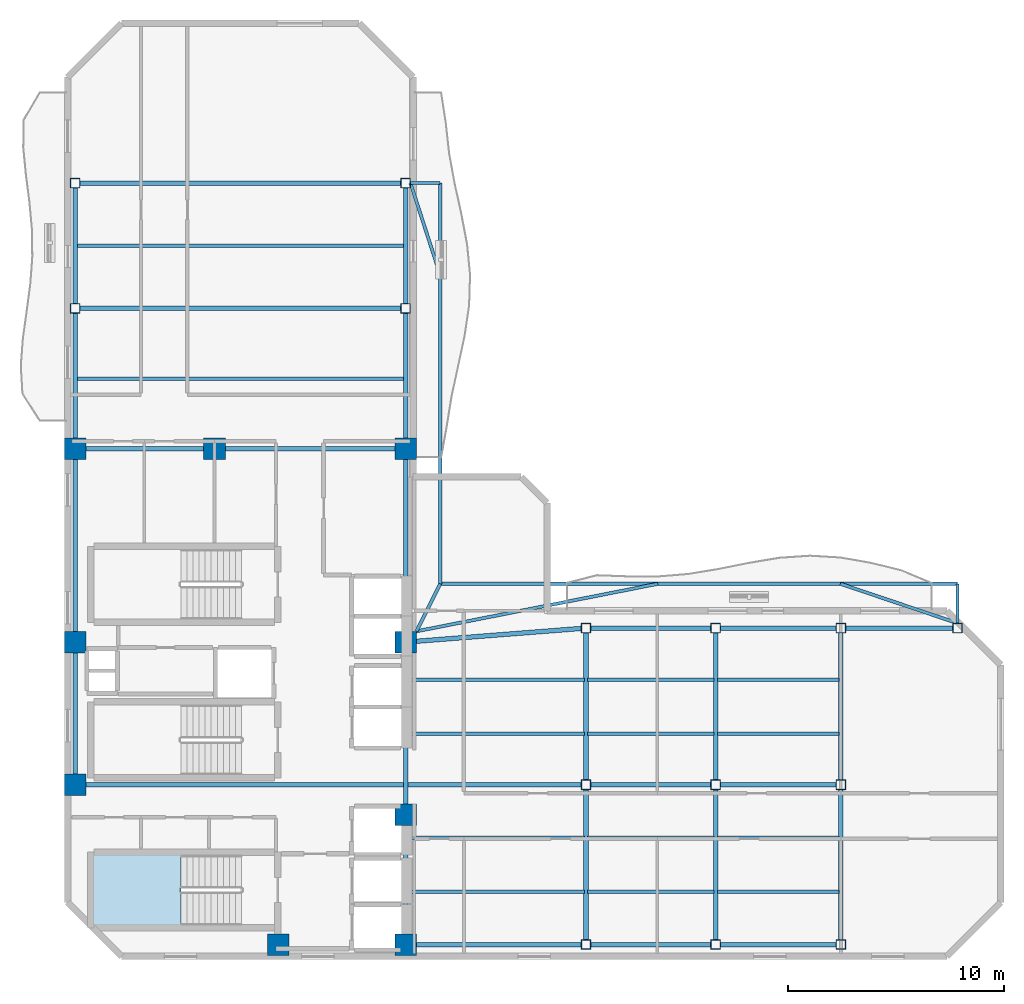
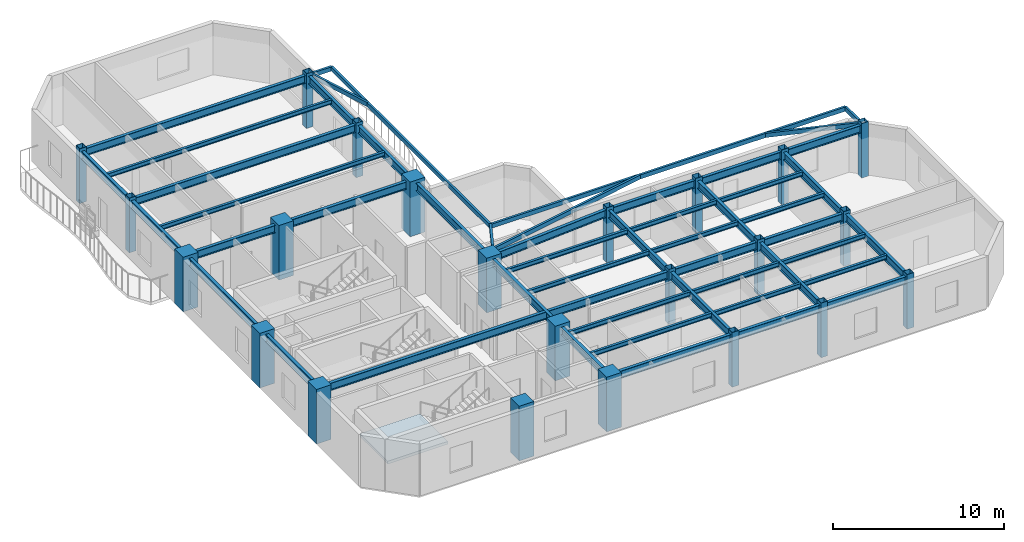
# One storey, part 1 of 8: 51 beams, 23 columns, 1 slab, 1 element without a shape of its own.
"""IFC4 building model written with IfcOpenShell, lengths in metres."""

from ifc_helpers import new_model, si_unit, direction, frame, origin, origin_2d, place, context, subcontext, project, spatial, polyline, rectangle, hollow_rectangle, i_section, outline, extrude, material, layer, layer_set, material_profile, profile_set, type_object, element, aggregate, save


model = new_model("IFC4")

# Units and contexts
model_context = context("Model", 3, precision=1e-05, world=origin(), true_north=direction((0.0, 1.0)))
body_context = subcontext(model_context, "Body", "Model", "MODEL_VIEW")
ifc_project = project(units=[si_unit("LENGTHUNIT", "METRE"), si_unit("AREAUNIT", "SQUARE_METRE"), si_unit("VOLUMEUNIT", "CUBIC_METRE"), si_unit("PLANEANGLEUNIT", "RADIAN"), si_unit("MASSUNIT", "GRAM", prefix="KILO")], contexts=[model_context])

# Site, building, storey
site_placement = place(None, origin())
site = spatial("IfcSite", under=ifc_project, at=site_placement, CompositionType="ELEMENT")
building_placement = place(site_placement, origin())
building = spatial("IfcBuilding", under=site, at=building_placement, Name="Mawjaban Terraces University", CompositionType="ELEMENT")
storey_placement = place(building_placement, frame((0.0, 0.0, 218.699951171875)))
storey = spatial("IfcBuildingStorey", under=building, at=storey_placement, Name="L53", CompositionType="ELEMENT", Elevation=218.699951171875)

# Columns
ifc_material_1 = material(Name="Concrete C60/75", Category="concrete")
ifc_material_profile_1 = material_profile(ifc_material_1, rectangle(XDim=1.0, YDim=1.0, at=origin_2d()), Name="RC1000X1000")
ifc_profile_set_1 = profile_set([ifc_material_profile_1], Name="Concrete C60/75")
column_type_1 = type_object("IfcColumnType", Name="Col_RC1000X1000", PredefinedType="COLUMN", material=ifc_profile_set_1)
for number, where, z_axis, x_axis, name in (
    (1, (31.75, 0.550048828125, 0.0), (0.0, 0.0, 1.0), (1.0, 0.0, 0.0), "L53 Column CC2"),
    (2, (37.64990234375, 0.550048828125, 0.0), (0.0, 0.0, 1.0), (1.0, 0.0, 0.0), "L53 Column CC3"),
    (3, (22.35009765625, 7.949951171875, 0.0), (0.0, 0.0, 1.0), (1.0, 0.0, 0.0), "L53 Column CC4"),
    (4, (37.64990234375, 6.550048828125, 0.0), (0.0, 0.0, 1.0), (1.0, 0.0, 0.0), "L53 Column CC5"),
    (5, (22.35009765625, 14.550048828125, 0.0), (0.0, 0.0, 1.0), (1.0, 0.0, 0.0), "L53 Column CC6"),
    (6, (37.64990234375, 14.550048828125, 0.0), (0.0, 0.0, 1.0), (1.0, 0.0, 0.0), "L53 Column CC7"),
    (7, (22.35009765625, 23.5, 0.0), (0.0, 0.0, 1.0), (1.0, 0.0, 0.0), "L53 Column CC8"),
    (8, (28.800048828125, 23.5, 0.0), (0.0, 0.0, 1.0), (1.0, 0.0, 0.0), "L53 Column CC9"),
    (9, (37.64990234375, 23.5, 0.0), (0.0, 0.0, 1.0), (1.0, 0.0, 0.0), "L53 Column CC10"),
):
    element("IfcColumn", number, at=place(storey_placement, frame(where, z_axis=z_axis, x_axis=x_axis)), inside=storey, type_object=column_type_1, Name=name, PredefinedType="COLUMN", context=body_context, shape_type="SweptSolid", body=[
        extrude(rectangle(XDim=1.0, YDim=1.0, at=origin_2d()), origin(), (0.0, 0.0, 1.0), 3.900146484375),
    ])
ifc_material_2 = material(Name="Steel EN 10210-1 S355J2H", Category="steel")
ifc_material_profile_2 = material_profile(ifc_material_2, hollow_rectangle(XDim=0.449951171875, YDim=0.449951171875, WallThickness=0.02001953125, at=origin_2d()), Name="SHS450X450X20")
ifc_profile_set_2 = profile_set([ifc_material_profile_2], Name="Steel EN 10210-1 S355J2H")
column_type_2 = type_object("IfcColumnType", Name="Col_SHS450X450X20", PredefinedType="COLUMN", material=ifc_profile_set_2)
for number, where, z_axis, x_axis, name in (
    (10, (46.0, 0.550048828125, 0.0), (0.0, 0.0, 1.0), (1.0, 0.0, 0.0), "L53 Column TE-460-005"),
    (11, (46.0, 7.949951171875, 0.0), (0.0, 0.0, 1.0), (1.0, 0.0, 0.0), "L53 Column TE-460-080"),
    (12, (46.0, 15.199951171875, 0.0), (0.0, 0.0, 1.0), (1.0, 0.0, 0.0), "L53 Column TE-460-152"),
    (13, (52.0, 0.550048828125, 0.0), (0.0, 0.0, 1.0), (1.0, 0.0, 0.0), "L53 Column TE-520-005"),
    (14, (52.0, 7.949951171875, 0.0), (0.0, 0.0, 1.0), (1.0, 0.0, 0.0), "L53 Column TE-520-080"),
    (15, (52.0, 15.199951171875, 0.0), (0.0, 0.0, 1.0), (1.0, 0.0, 0.0), "L53 Column TE-520-152"),
    (16, (57.800048828125, 0.550048828125, 0.0), (0.0, 0.0, 1.0), (1.0, 0.0, 0.0), "L53 Column TE-578-005"),
    (17, (57.800048828125, 7.949951171875, 0.0), (0.0, 0.0, 1.0), (1.0, 0.0, 0.0), "L53 Column TE-578-080"),
    (18, (57.800048828125, 15.199951171875, 0.0), (0.0, 0.0, 1.0), (1.0, 0.0, 0.0), "L53 Column TE-578-152"),
    (19, (63.199951171875, 15.199951171875, 0.0), (0.0, 0.0, 1.0), (1.0, 0.0, 0.0), "L53 Column TE-632-152"),
    (20, (22.35009765625, 30.0, 0.0), (0.0, 0.0, 1.0), (1.0, 0.0, 0.0), "L53 Column TN-223-300"),
    (21, (37.64990234375, 30.0, 0.0), (0.0, 0.0, 1.0), (1.0, 0.0, 0.0), "L53 Column TN-376-300"),
    (22, (22.35009765625, 35.800048828125, 0.0), (0.0, 0.0, 1.0), (1.0, 0.0, 0.0), "L53 Column TN-223-358"),
    (23, (37.64990234375, 35.800048828125, 0.0), (0.0, 0.0, 1.0), (1.0, 0.0, 0.0), "L53 Column TN-376-358"),
):
    element("IfcColumn", number, at=place(storey_placement, frame(where, z_axis=z_axis, x_axis=x_axis)), inside=storey, type_object=column_type_2, Name=name, PredefinedType="COLUMN", context=body_context, shape_type="SweptSolid", body=[
        extrude(hollow_rectangle(XDim=0.449951171875, YDim=0.449951171875, WallThickness=0.02001953125, at=origin_2d()), origin(), (0.0, 0.0, 1.0), 3.900146484375),
    ])

# Beams
ifc_material_profile_3 = material_profile(ifc_material_2, hollow_rectangle(XDim=0.14990234375, YDim=0.300048828125, WallThickness=0.012451171875, at=origin_2d()), Name="RHS300X150X12.5")
ifc_profile_set_3 = profile_set([ifc_material_profile_3], Name="Steel EN 10210-1 S355J2H")
beam_type_1 = type_object("IfcBeamType", Name="BalconyCantileverSpandrel_RHS", PredefinedType="SPANDREL", material=ifc_profile_set_3)
beam_1_placement = place(storey_placement, frame((38.14990234375, 15.050048828125, 3.5400390625), z_axis=(0.447253297971, 0.894407338663, 0.0), x_axis=(-0.894407338663, 0.447253297971, 0.0)))
element("IfcBeam", 24, at=beam_1_placement, inside=storey, type_object=beam_type_1, Name="L53 Corner Outrigger BAL-L54-N", PredefinedType="SPANDREL", context=body_context, shape_type="SweptSolid", body=[
    extrude(hollow_rectangle(XDim=0.14990234375, YDim=0.300048828125, WallThickness=0.012451171875, at=origin_2d()), origin(), (0.0, 0.0, 1.0), 2.459716796875),
])
beam_2_placement = place(storey_placement, frame((63.199951171875, 15.425048828125, 3.5400390625), z_axis=(0.0, 1.0, 0.0), x_axis=(-1.0, 0.0, 0.0)))
element("IfcBeam", 25, at=beam_2_placement, inside=storey, type_object=beam_type_1, Name="L53 Exterior Outrigger BAL-L54-N.2", PredefinedType="SPANDREL", context=body_context, shape_type="SweptSolid", body=[
    extrude(hollow_rectangle(XDim=0.14990234375, YDim=0.300048828125, WallThickness=0.012451171875, at=origin_2d()), origin(), (0.0, 0.0, 1.0), 1.824951171875),
])
beam_3_placement = place(storey_placement, frame((39.25, 17.25, 3.5400390625), z_axis=(1.0, 0.0, 0.0), x_axis=(0.0, 1.0, 0.0)))
element("IfcBeam", 26, at=beam_3_placement, inside=storey, type_object=beam_type_1, Name="L53 Exterior Edge Spandrel BAL-L54-N", PredefinedType="SPANDREL", context=body_context, shape_type="SweptSolid", body=[
    extrude(hollow_rectangle(XDim=0.14990234375, YDim=0.300048828125, WallThickness=0.012451171875, at=origin_2d()), origin(), (0.0, 0.0, 1.0), 23.949951171875),
])
beam_4_placement = place(storey_placement, frame((38.14990234375, 15.050048828125, 3.5400390625), z_axis=(0.981168159066, 0.193155490821, 0.0), x_axis=(-0.193155490821, 0.981168159066, 0.0)))
element("IfcBeam", 27, at=beam_4_placement, inside=storey, type_object=beam_type_1, Name="L53 Exterior Diagonal Strut BAL-L54-N.1", PredefinedType="SPANDREL", context=body_context, shape_type="SweptSolid", body=[
    extrude(hollow_rectangle(XDim=0.14990234375, YDim=0.300048828125, WallThickness=0.012451171875, at=origin_2d()), origin(), (0.0, 0.0, 1.0), 11.3896484375),
])
beam_5_placement = place(storey_placement, frame((63.199951171875, 15.425048828125, 3.5400390625), z_axis=(-0.947809569578, 0.318836980001, 0.0), x_axis=(-0.318836980001, -0.947809569578, 0.0)))
element("IfcBeam", 28, at=beam_5_placement, inside=storey, type_object=beam_type_1, Name="L53 Exterior Diagonal Strut BAL-L54-N.2", PredefinedType="SPANDREL", context=body_context, shape_type="SweptSolid", body=[
    extrude(hollow_rectangle(XDim=0.14990234375, YDim=0.300048828125, WallThickness=0.012451171875, at=origin_2d()), origin(), (0.0, 0.0, 1.0), 5.723876953125),
])
beam_6_placement = place(storey_placement, frame((37.875, 35.800048828125, 3.5400390625), z_axis=(1.0, 0.0, 0.0), x_axis=(0.0, 1.0, 0.0)))
element("IfcBeam", 29, at=beam_6_placement, inside=storey, type_object=beam_type_1, Name="L53 Exterior Outrigger BAL-L54-E.2", PredefinedType="SPANDREL", context=body_context, shape_type="SweptSolid", body=[
    extrude(hollow_rectangle(XDim=0.14990234375, YDim=0.300048828125, WallThickness=0.012451171875, at=origin_2d()), origin(), (0.0, 0.0, 1.0), 1.375),
])
beam_7_placement = place(storey_placement, frame((39.25, 17.25, 3.5400390625), z_axis=(0.0, 1.0, 0.0), x_axis=(-1.0, 0.0, 0.0)))
element("IfcBeam", 30, at=beam_7_placement, inside=storey, type_object=beam_type_1, Name="L53 Exterior Edge Spandrel BAL-L54-E", PredefinedType="SPANDREL", context=body_context, shape_type="SweptSolid", body=[
    extrude(hollow_rectangle(XDim=0.14990234375, YDim=0.300048828125, WallThickness=0.012451171875, at=origin_2d()), origin(), (0.0, 0.0, 1.0), 18.550048828125),
])
beam_8_placement = place(storey_placement, frame((37.875, 35.800048828125, 3.5400390625), z_axis=(0.307820285415, -0.951444518554, 0.0), x_axis=(0.951444518554, 0.307820285415, 0.0)))
element("IfcBeam", 31, at=beam_8_placement, inside=storey, type_object=beam_type_1, Name="L53 Exterior Diagonal Strut BAL-L54-E.1", PredefinedType="SPANDREL", context=body_context, shape_type="SweptSolid", body=[
    extrude(hollow_rectangle(XDim=0.14990234375, YDim=0.300048828125, WallThickness=0.012451171875, at=origin_2d()), origin(), (0.0, 0.0, 1.0), 4.466796875),
])
ifc_material_3 = material(Name="Steel ASTM A572 Grade 50", Category="steel")
ifc_material_profile_4 = material_profile(ifc_material_3, i_section(OverallWidth=0.2119140625, OverallDepth=0.5439453125, WebThickness=0.01318359375, FlangeThickness=0.021240234375, at=origin_2d()), Name="W530X123")
ifc_profile_set_4 = profile_set([ifc_material_profile_4], Name="Steel ASTM A572 Grade 50")
beam_type_2 = type_object("IfcBeamType", Name="Beam_B_W530X123", PredefinedType="BEAM", material=ifc_profile_set_4)
beam_9_placement = place(storey_placement, frame((38.14990234375, 0.550048828125, 3.41796875), z_axis=(1.0, 0.0, 0.0), x_axis=(0.0, 1.0, 0.0)))
element("IfcBeam", 32, at=beam_9_placement, inside=storey, type_object=beam_type_2, Name="L53 Beam BM-L53-EW-01", PredefinedType="BEAM", context=body_context, shape_type="SweptSolid", body=[
    extrude(i_section(OverallWidth=0.2119140625, OverallDepth=0.5439453125, WebThickness=0.01318359375, FlangeThickness=0.021240234375, at=origin_2d()), origin(), (0.0, 0.0, 1.0), 7.625),
])
beam_10_placement = place(storey_placement, frame((46.22509765625, 0.550048828125, 3.41796875), z_axis=(1.0, 0.0, 0.0), x_axis=(0.0, 1.0, 0.0)))
element("IfcBeam", 33, at=beam_10_placement, inside=storey, type_object=beam_type_2, Name="L53 Beam BM-L53-EW-02", PredefinedType="BEAM", context=body_context, shape_type="SweptSolid", body=[
    extrude(i_section(OverallWidth=0.2119140625, OverallDepth=0.5439453125, WebThickness=0.01318359375, FlangeThickness=0.021240234375, at=origin_2d()), origin(), (0.0, 0.0, 1.0), 5.5498046875),
])
beam_11_placement = place(storey_placement, frame((52.22509765625, 0.550048828125, 3.41796875), z_axis=(1.0, 0.0, 0.0), x_axis=(0.0, 1.0, 0.0)))
element("IfcBeam", 34, at=beam_11_placement, inside=storey, type_object=beam_type_2, Name="L53 Beam BM-L53-EW-03", PredefinedType="BEAM", context=body_context, shape_type="SweptSolid", body=[
    extrude(i_section(OverallWidth=0.2119140625, OverallDepth=0.5439453125, WebThickness=0.01318359375, FlangeThickness=0.021240234375, at=origin_2d()), origin(), (0.0, 0.0, 1.0), 5.349853515625),
])
beam_12_placement = place(storey_placement, frame((22.85009765625, 7.949951171875, 3.41796875), z_axis=(1.0, 0.0, 0.0), x_axis=(0.0, 1.0, 0.0)))
element("IfcBeam", 35, at=beam_12_placement, inside=storey, type_object=beam_type_2, Name="L53 Beam BM-L53-EW-04", PredefinedType="BEAM", context=body_context, shape_type="SweptSolid", body=[
    extrude(i_section(OverallWidth=0.2119140625, OverallDepth=0.5439453125, WebThickness=0.01318359375, FlangeThickness=0.021240234375, at=origin_2d()), origin(), (0.0, 0.0, 1.0), 22.9248046875),
])
beam_13_placement = place(storey_placement, frame((46.22509765625, 7.949951171875, 3.41796875), z_axis=(1.0, 0.0, 0.0), x_axis=(0.0, 1.0, 0.0)))
element("IfcBeam", 36, at=beam_13_placement, inside=storey, type_object=beam_type_2, Name="L53 Beam BM-L53-EW-05", PredefinedType="BEAM", context=body_context, shape_type="SweptSolid", body=[
    extrude(i_section(OverallWidth=0.2119140625, OverallDepth=0.5439453125, WebThickness=0.01318359375, FlangeThickness=0.021240234375, at=origin_2d()), origin(), (0.0, 0.0, 1.0), 5.5498046875),
])
beam_14_placement = place(storey_placement, frame((52.22509765625, 7.949951171875, 3.41796875), z_axis=(1.0, 0.0, 0.0), x_axis=(0.0, 1.0, 0.0)))
element("IfcBeam", 37, at=beam_14_placement, inside=storey, type_object=beam_type_2, Name="L53 Beam BM-L53-EW-06", PredefinedType="BEAM", context=body_context, shape_type="SweptSolid", body=[
    extrude(i_section(OverallWidth=0.2119140625, OverallDepth=0.5439453125, WebThickness=0.01318359375, FlangeThickness=0.021240234375, at=origin_2d()), origin(), (0.0, 0.0, 1.0), 5.349853515625),
])
beam_15_placement = place(storey_placement, frame((46.22509765625, 15.199951171875, 3.41796875), z_axis=(1.0, 0.0, 0.0), x_axis=(0.0, 1.0, 0.0)))
element("IfcBeam", 38, at=beam_15_placement, inside=storey, type_object=beam_type_2, Name="L53 Beam BM-L53-EW-07", PredefinedType="BEAM", context=body_context, shape_type="SweptSolid", body=[
    extrude(i_section(OverallWidth=0.2119140625, OverallDepth=0.5439453125, WebThickness=0.01318359375, FlangeThickness=0.021240234375, at=origin_2d()), origin(), (0.0, 0.0, 1.0), 5.5498046875),
])
beam_16_placement = place(storey_placement, frame((52.22509765625, 15.199951171875, 3.41796875), z_axis=(1.0, 0.0, 0.0), x_axis=(0.0, 1.0, 0.0)))
element("IfcBeam", 39, at=beam_16_placement, inside=storey, type_object=beam_type_2, Name="L53 Beam BM-L53-EW-08", PredefinedType="BEAM", context=body_context, shape_type="SweptSolid", body=[
    extrude(i_section(OverallWidth=0.2119140625, OverallDepth=0.5439453125, WebThickness=0.01318359375, FlangeThickness=0.021240234375, at=origin_2d()), origin(), (0.0, 0.0, 1.0), 5.349853515625),
])
beam_17_placement = place(storey_placement, frame((58.02490234375, 15.199951171875, 3.41796875), z_axis=(1.0, 0.0, 0.0), x_axis=(0.0, 1.0, 0.0)))
element("IfcBeam", 40, at=beam_17_placement, inside=storey, type_object=beam_type_2, Name="L53 Beam BM-L53-EW-09", PredefinedType="BEAM", context=body_context, shape_type="SweptSolid", body=[
    extrude(i_section(OverallWidth=0.2119140625, OverallDepth=0.5439453125, WebThickness=0.01318359375, FlangeThickness=0.021240234375, at=origin_2d()), origin(), (0.0, 0.0, 1.0), 4.9501953125),
])
beam_18_placement = place(storey_placement, frame((22.85009765625, 23.5, 3.41796875), z_axis=(1.0, 0.0, 0.0), x_axis=(0.0, 1.0, 0.0)))
element("IfcBeam", 41, at=beam_18_placement, inside=storey, type_object=beam_type_2, Name="L53 Beam BM-L53-EW-10", PredefinedType="BEAM", context=body_context, shape_type="SweptSolid", body=[
    extrude(i_section(OverallWidth=0.2119140625, OverallDepth=0.5439453125, WebThickness=0.01318359375, FlangeThickness=0.021240234375, at=origin_2d()), origin(), (0.0, 0.0, 1.0), 5.449951171875),
])
beam_19_placement = place(storey_placement, frame((29.300048828125, 23.5, 3.41796875), z_axis=(1.0, 0.0, 0.0), x_axis=(0.0, 1.0, 0.0)))
element("IfcBeam", 42, at=beam_19_placement, inside=storey, type_object=beam_type_2, Name="L53 Beam BM-L53-EW-11", PredefinedType="BEAM", context=body_context, shape_type="SweptSolid", body=[
    extrude(i_section(OverallWidth=0.2119140625, OverallDepth=0.5439453125, WebThickness=0.01318359375, FlangeThickness=0.021240234375, at=origin_2d()), origin(), (0.0, 0.0, 1.0), 7.849853515625),
])
for number, where, z_axis, x_axis, name in (
    (43, (22.574951171875, 30.0, 3.41796875), (1.0, 0.0, 0.0), (0.0, 1.0, 0.0), "L53 Beam BM-L53-EW-12"),
    (44, (22.574951171875, 35.800048828125, 3.41796875), (1.0, 0.0, 0.0), (0.0, 1.0, 0.0), "L53 Beam BM-L53-EW-13"),
):
    element("IfcBeam", number, at=place(storey_placement, frame(where, z_axis=z_axis, x_axis=x_axis)), inside=storey, type_object=beam_type_2, Name=name, PredefinedType="BEAM", context=body_context, shape_type="SweptSolid", body=[
        extrude(i_section(OverallWidth=0.2119140625, OverallDepth=0.5439453125, WebThickness=0.01318359375, FlangeThickness=0.021240234375, at=origin_2d()), origin(), (0.0, 0.0, 1.0), 14.85009765625),
    ])
beam_20_placement = place(storey_placement, frame((22.35009765625, 8.449951171875, 3.41796875), z_axis=(0.0, 1.0, 0.0), x_axis=(-1.0, 0.0, 0.0)))
element("IfcBeam", 45, at=beam_20_placement, inside=storey, type_object=beam_type_2, Name="L53 Beam BM-L53-NS-01", PredefinedType="BEAM", context=body_context, shape_type="SweptSolid", body=[
    extrude(i_section(OverallWidth=0.2119140625, OverallDepth=0.5439453125, WebThickness=0.01318359375, FlangeThickness=0.021240234375, at=origin_2d()), origin(), (0.0, 0.0, 1.0), 5.60009765625),
])
beam_21_placement = place(storey_placement, frame((22.35009765625, 15.050048828125, 3.41796875), z_axis=(0.0, 1.0, 0.0), x_axis=(-1.0, 0.0, 0.0)))
element("IfcBeam", 46, at=beam_21_placement, inside=storey, type_object=beam_type_2, Name="L53 Beam BM-L53-NS-02", PredefinedType="BEAM", context=body_context, shape_type="SweptSolid", body=[
    extrude(i_section(OverallWidth=0.2119140625, OverallDepth=0.5439453125, WebThickness=0.01318359375, FlangeThickness=0.021240234375, at=origin_2d()), origin(), (0.0, 0.0, 1.0), 7.949951171875),
])
beam_22_placement = place(storey_placement, frame((22.35009765625, 24.0, 3.41796875), z_axis=(0.0, 1.0, 0.0), x_axis=(-1.0, 0.0, 0.0)))
element("IfcBeam", 47, at=beam_22_placement, inside=storey, type_object=beam_type_2, Name="L53 Beam BM-L53-NS-03", PredefinedType="BEAM", context=body_context, shape_type="SweptSolid", body=[
    extrude(i_section(OverallWidth=0.2119140625, OverallDepth=0.5439453125, WebThickness=0.01318359375, FlangeThickness=0.021240234375, at=origin_2d()), origin(), (0.0, 0.0, 1.0), 5.77490234375),
])
beam_23_placement = place(storey_placement, frame((22.35009765625, 30.22509765625, 3.41796875), z_axis=(0.0, 1.0, 0.0), x_axis=(-1.0, 0.0, 0.0)))
element("IfcBeam", 48, at=beam_23_placement, inside=storey, type_object=beam_type_2, Name="L53 Beam BM-L53-NS-04", PredefinedType="BEAM", context=body_context, shape_type="SweptSolid", body=[
    extrude(i_section(OverallWidth=0.2119140625, OverallDepth=0.5439453125, WebThickness=0.01318359375, FlangeThickness=0.021240234375, at=origin_2d()), origin(), (0.0, 0.0, 1.0), 5.349853515625),
])
beam_24_placement = place(storey_placement, frame((37.64990234375, 1.050048828125, 3.41796875), z_axis=(0.0, 1.0, 0.0), x_axis=(-1.0, 0.0, 0.0)))
element("IfcBeam", 49, at=beam_24_placement, inside=storey, type_object=beam_type_2, Name="L53 Beam BM-L53-NS-05", PredefinedType="BEAM", context=body_context, shape_type="SweptSolid", body=[
    extrude(i_section(OverallWidth=0.2119140625, OverallDepth=0.5439453125, WebThickness=0.01318359375, FlangeThickness=0.021240234375, at=origin_2d()), origin(), (0.0, 0.0, 1.0), 5.0),
])
beam_25_placement = place(storey_placement, frame((37.64990234375, 7.050048828125, 3.41796875), z_axis=(0.0, 1.0, 0.0), x_axis=(-1.0, 0.0, 0.0)))
element("IfcBeam", 50, at=beam_25_placement, inside=storey, type_object=beam_type_2, Name="L53 Beam BM-L53-NS-06", PredefinedType="BEAM", context=body_context, shape_type="SweptSolid", body=[
    extrude(i_section(OverallWidth=0.2119140625, OverallDepth=0.5439453125, WebThickness=0.01318359375, FlangeThickness=0.021240234375, at=origin_2d()), origin(), (0.0, 0.0, 1.0), 7.0),
])
beam_26_placement = place(storey_placement, frame((37.64990234375, 15.050048828125, 3.41796875), z_axis=(0.0, 1.0, 0.0), x_axis=(-1.0, 0.0, 0.0)))
element("IfcBeam", 51, at=beam_26_placement, inside=storey, type_object=beam_type_2, Name="L53 Beam BM-L53-NS-07", PredefinedType="BEAM", context=body_context, shape_type="SweptSolid", body=[
    extrude(i_section(OverallWidth=0.2119140625, OverallDepth=0.5439453125, WebThickness=0.01318359375, FlangeThickness=0.021240234375, at=origin_2d()), origin(), (0.0, 0.0, 1.0), 7.949951171875),
])
beam_27_placement = place(storey_placement, frame((37.64990234375, 24.0, 3.41796875), z_axis=(0.0, 1.0, 0.0), x_axis=(-1.0, 0.0, 0.0)))
element("IfcBeam", 52, at=beam_27_placement, inside=storey, type_object=beam_type_2, Name="L53 Beam BM-L53-NS-08", PredefinedType="BEAM", context=body_context, shape_type="SweptSolid", body=[
    extrude(i_section(OverallWidth=0.2119140625, OverallDepth=0.5439453125, WebThickness=0.01318359375, FlangeThickness=0.021240234375, at=origin_2d()), origin(), (0.0, 0.0, 1.0), 5.77490234375),
])
beam_28_placement = place(storey_placement, frame((37.64990234375, 30.22509765625, 3.41796875), z_axis=(0.0, 1.0, 0.0), x_axis=(-1.0, 0.0, 0.0)))
element("IfcBeam", 53, at=beam_28_placement, inside=storey, type_object=beam_type_2, Name="L53 Beam BM-L53-NS-09", PredefinedType="BEAM", context=body_context, shape_type="SweptSolid", body=[
    extrude(i_section(OverallWidth=0.2119140625, OverallDepth=0.5439453125, WebThickness=0.01318359375, FlangeThickness=0.021240234375, at=origin_2d()), origin(), (0.0, 0.0, 1.0), 5.349853515625),
])
beam_29_placement = place(storey_placement, frame((46.0, 0.77490234375, 3.41796875), z_axis=(0.0, 1.0, 0.0), x_axis=(-1.0, 0.0, 0.0)))
element("IfcBeam", 54, at=beam_29_placement, inside=storey, type_object=beam_type_2, Name="L53 Beam BM-L53-NS-10", PredefinedType="BEAM", context=body_context, shape_type="SweptSolid", body=[
    extrude(i_section(OverallWidth=0.2119140625, OverallDepth=0.5439453125, WebThickness=0.01318359375, FlangeThickness=0.021240234375, at=origin_2d()), origin(), (0.0, 0.0, 1.0), 6.9501953125),
])
beam_30_placement = place(storey_placement, frame((46.0, 8.175048828125, 3.41796875), z_axis=(0.0, 1.0, 0.0), x_axis=(-1.0, 0.0, 0.0)))
element("IfcBeam", 55, at=beam_30_placement, inside=storey, type_object=beam_type_2, Name="L53 Beam BM-L53-NS-11", PredefinedType="BEAM", context=body_context, shape_type="SweptSolid", body=[
    extrude(i_section(OverallWidth=0.2119140625, OverallDepth=0.5439453125, WebThickness=0.01318359375, FlangeThickness=0.021240234375, at=origin_2d()), origin(), (0.0, 0.0, 1.0), 6.800048828125),
])
beam_31_placement = place(storey_placement, frame((52.0, 0.77490234375, 3.41796875), z_axis=(0.0, 1.0, 0.0), x_axis=(-1.0, 0.0, 0.0)))
element("IfcBeam", 56, at=beam_31_placement, inside=storey, type_object=beam_type_2, Name="L53 Beam BM-L53-NS-12", PredefinedType="BEAM", context=body_context, shape_type="SweptSolid", body=[
    extrude(i_section(OverallWidth=0.2119140625, OverallDepth=0.5439453125, WebThickness=0.01318359375, FlangeThickness=0.021240234375, at=origin_2d()), origin(), (0.0, 0.0, 1.0), 6.9501953125),
])
beam_32_placement = place(storey_placement, frame((52.0, 8.175048828125, 3.41796875), z_axis=(0.0, 1.0, 0.0), x_axis=(-1.0, 0.0, 0.0)))
element("IfcBeam", 57, at=beam_32_placement, inside=storey, type_object=beam_type_2, Name="L53 Beam BM-L53-NS-13", PredefinedType="BEAM", context=body_context, shape_type="SweptSolid", body=[
    extrude(i_section(OverallWidth=0.2119140625, OverallDepth=0.5439453125, WebThickness=0.01318359375, FlangeThickness=0.021240234375, at=origin_2d()), origin(), (0.0, 0.0, 1.0), 6.800048828125),
])
beam_33_placement = place(storey_placement, frame((57.800048828125, 0.77490234375, 3.41796875), z_axis=(0.0, 1.0, 0.0), x_axis=(-1.0, 0.0, 0.0)))
element("IfcBeam", 58, at=beam_33_placement, inside=storey, type_object=beam_type_2, Name="L53 Beam BM-L53-NS-14", PredefinedType="BEAM", context=body_context, shape_type="SweptSolid", body=[
    extrude(i_section(OverallWidth=0.2119140625, OverallDepth=0.5439453125, WebThickness=0.01318359375, FlangeThickness=0.021240234375, at=origin_2d()), origin(), (0.0, 0.0, 1.0), 6.9501953125),
])
beam_34_placement = place(storey_placement, frame((57.800048828125, 8.175048828125, 3.41796875), z_axis=(0.0, 1.0, 0.0), x_axis=(-1.0, 0.0, 0.0)))
element("IfcBeam", 59, at=beam_34_placement, inside=storey, type_object=beam_type_2, Name="L53 Beam BM-L53-NS-15", PredefinedType="BEAM", context=body_context, shape_type="SweptSolid", body=[
    extrude(i_section(OverallWidth=0.2119140625, OverallDepth=0.5439453125, WebThickness=0.01318359375, FlangeThickness=0.021240234375, at=origin_2d()), origin(), (0.0, 0.0, 1.0), 6.800048828125),
])
beam_35_placement = place(storey_placement, frame((38.14794921875, 14.589111328125, 3.41796875), z_axis=(0.99698177718, 0.077635919341, 0.0), x_axis=(-0.077635919341, 0.99698177718, 0.0)))
element("IfcBeam", 60, at=beam_35_placement, inside=storey, type_object=beam_type_2, Name="L53 Beam BM-L53-CTIE", PredefinedType="BEAM", context=body_context, shape_type="SweptSolid", body=[
    extrude(i_section(OverallWidth=0.2119140625, OverallDepth=0.5439453125, WebThickness=0.01318359375, FlangeThickness=0.021240234375, at=origin_2d()), origin(), (0.0, 0.0, 1.0), 7.651123046875),
])
ifc_material_profile_5 = material_profile(ifc_material_3, i_section(OverallWidth=0.1669921875, OverallDepth=0.318115234375, WebThickness=0.007568359375, FlangeThickness=0.01318359375, at=origin_2d()), Name="W310X52")
ifc_profile_set_5 = profile_set([ifc_material_profile_5], Name="Steel ASTM A572 Grade 50")
beam_type_3 = type_object("IfcBeamType", Name="Beam_J_W310X52", PredefinedType="JOIST", material=ifc_profile_set_5)
beam_36_placement = place(storey_placement, frame((37.72998046875, 3.0, 3.531005859375), z_axis=(1.0, 0.0, 0.0), x_axis=(0.0, 1.0, 0.0)))
element("IfcBeam", 61, at=beam_36_placement, inside=storey, type_object=beam_type_3, Name="L53 Composite Joist JST-L53-01", PredefinedType="JOIST", context=body_context, shape_type="SweptSolid", body=[
    extrude(i_section(OverallWidth=0.1669921875, OverallDepth=0.318115234375, WebThickness=0.007568359375, FlangeThickness=0.01318359375, at=origin_2d()), origin(), (0.0, 0.0, 1.0), 8.18994140625),
])
beam_37_placement = place(storey_placement, frame((46.080078125, 3.0, 3.531005859375), z_axis=(1.0, 0.0, 0.0), x_axis=(0.0, 1.0, 0.0)))
element("IfcBeam", 62, at=beam_37_placement, inside=storey, type_object=beam_type_3, Name="L53 Composite Joist JST-L53-02", PredefinedType="JOIST", context=body_context, shape_type="SweptSolid", body=[
    extrude(i_section(OverallWidth=0.1669921875, OverallDepth=0.318115234375, WebThickness=0.007568359375, FlangeThickness=0.01318359375, at=origin_2d()), origin(), (0.0, 0.0, 1.0), 5.83984375),
])
beam_38_placement = place(storey_placement, frame((52.080078125, 3.0, 3.531005859375), z_axis=(1.0, 0.0, 0.0), x_axis=(0.0, 1.0, 0.0)))
element("IfcBeam", 63, at=beam_38_placement, inside=storey, type_object=beam_type_3, Name="L53 Composite Joist JST-L53-03", PredefinedType="JOIST", context=body_context, shape_type="SweptSolid", body=[
    extrude(i_section(OverallWidth=0.1669921875, OverallDepth=0.318115234375, WebThickness=0.007568359375, FlangeThickness=0.01318359375, at=origin_2d()), origin(), (0.0, 0.0, 1.0), 5.639892578125),
])
beam_39_placement = place(storey_placement, frame((37.72998046875, 5.5, 3.531005859375), z_axis=(1.0, 0.0, 0.0), x_axis=(0.0, 1.0, 0.0)))
element("IfcBeam", 64, at=beam_39_placement, inside=storey, type_object=beam_type_3, Name="L53 Composite Joist JST-L53-04", PredefinedType="JOIST", context=body_context, shape_type="SweptSolid", body=[
    extrude(i_section(OverallWidth=0.1669921875, OverallDepth=0.318115234375, WebThickness=0.007568359375, FlangeThickness=0.01318359375, at=origin_2d()), origin(), (0.0, 0.0, 1.0), 8.18994140625),
])
beam_40_placement = place(storey_placement, frame((46.080078125, 5.5, 3.531005859375), z_axis=(1.0, 0.0, 0.0), x_axis=(0.0, 1.0, 0.0)))
element("IfcBeam", 65, at=beam_40_placement, inside=storey, type_object=beam_type_3, Name="L53 Composite Joist JST-L53-05", PredefinedType="JOIST", context=body_context, shape_type="SweptSolid", body=[
    extrude(i_section(OverallWidth=0.1669921875, OverallDepth=0.318115234375, WebThickness=0.007568359375, FlangeThickness=0.01318359375, at=origin_2d()), origin(), (0.0, 0.0, 1.0), 5.83984375),
])
beam_41_placement = place(storey_placement, frame((52.080078125, 5.5, 3.531005859375), z_axis=(1.0, 0.0, 0.0), x_axis=(0.0, 1.0, 0.0)))
element("IfcBeam", 66, at=beam_41_placement, inside=storey, type_object=beam_type_3, Name="L53 Composite Joist JST-L53-06", PredefinedType="JOIST", context=body_context, shape_type="SweptSolid", body=[
    extrude(i_section(OverallWidth=0.1669921875, OverallDepth=0.318115234375, WebThickness=0.007568359375, FlangeThickness=0.01318359375, at=origin_2d()), origin(), (0.0, 0.0, 1.0), 5.639892578125),
])
beam_42_placement = place(storey_placement, frame((37.72998046875, 10.300048828125, 3.531005859375), z_axis=(1.0, 0.0, 0.0), x_axis=(0.0, 1.0, 0.0)))
element("IfcBeam", 67, at=beam_42_placement, inside=storey, type_object=beam_type_3, Name="L53 Composite Joist JST-L53-07", PredefinedType="JOIST", context=body_context, shape_type="SweptSolid", body=[
    extrude(i_section(OverallWidth=0.1669921875, OverallDepth=0.318115234375, WebThickness=0.007568359375, FlangeThickness=0.01318359375, at=origin_2d()), origin(), (0.0, 0.0, 1.0), 8.18994140625),
])
beam_43_placement = place(storey_placement, frame((46.080078125, 10.300048828125, 3.531005859375), z_axis=(1.0, 0.0, 0.0), x_axis=(0.0, 1.0, 0.0)))
element("IfcBeam", 68, at=beam_43_placement, inside=storey, type_object=beam_type_3, Name="L53 Composite Joist JST-L53-08", PredefinedType="JOIST", context=body_context, shape_type="SweptSolid", body=[
    extrude(i_section(OverallWidth=0.1669921875, OverallDepth=0.318115234375, WebThickness=0.007568359375, FlangeThickness=0.01318359375, at=origin_2d()), origin(), (0.0, 0.0, 1.0), 5.83984375),
])
beam_44_placement = place(storey_placement, frame((52.080078125, 10.300048828125, 3.531005859375), z_axis=(1.0, 0.0, 0.0), x_axis=(0.0, 1.0, 0.0)))
element("IfcBeam", 69, at=beam_44_placement, inside=storey, type_object=beam_type_3, Name="L53 Composite Joist JST-L53-09", PredefinedType="JOIST", context=body_context, shape_type="SweptSolid", body=[
    extrude(i_section(OverallWidth=0.1669921875, OverallDepth=0.318115234375, WebThickness=0.007568359375, FlangeThickness=0.01318359375, at=origin_2d()), origin(), (0.0, 0.0, 1.0), 5.639892578125),
])
beam_45_placement = place(storey_placement, frame((37.72998046875, 12.800048828125, 3.531005859375), z_axis=(1.0, 0.0, 0.0), x_axis=(0.0, 1.0, 0.0)))
element("IfcBeam", 70, at=beam_45_placement, inside=storey, type_object=beam_type_3, Name="L53 Composite Joist JST-L53-10", PredefinedType="JOIST", context=body_context, shape_type="SweptSolid", body=[
    extrude(i_section(OverallWidth=0.1669921875, OverallDepth=0.318115234375, WebThickness=0.007568359375, FlangeThickness=0.01318359375, at=origin_2d()), origin(), (0.0, 0.0, 1.0), 8.18994140625),
])
beam_46_placement = place(storey_placement, frame((46.080078125, 12.800048828125, 3.531005859375), z_axis=(1.0, 0.0, 0.0), x_axis=(0.0, 1.0, 0.0)))
element("IfcBeam", 71, at=beam_46_placement, inside=storey, type_object=beam_type_3, Name="L53 Composite Joist JST-L53-11", PredefinedType="JOIST", context=body_context, shape_type="SweptSolid", body=[
    extrude(i_section(OverallWidth=0.1669921875, OverallDepth=0.318115234375, WebThickness=0.007568359375, FlangeThickness=0.01318359375, at=origin_2d()), origin(), (0.0, 0.0, 1.0), 5.83984375),
])
beam_47_placement = place(storey_placement, frame((52.080078125, 12.800048828125, 3.531005859375), z_axis=(1.0, 0.0, 0.0), x_axis=(0.0, 1.0, 0.0)))
element("IfcBeam", 72, at=beam_47_placement, inside=storey, type_object=beam_type_3, Name="L53 Composite Joist JST-L53-12", PredefinedType="JOIST", context=body_context, shape_type="SweptSolid", body=[
    extrude(i_section(OverallWidth=0.1669921875, OverallDepth=0.318115234375, WebThickness=0.007568359375, FlangeThickness=0.01318359375, at=origin_2d()), origin(), (0.0, 0.0, 1.0), 5.639892578125),
])
for number, where, z_axis, x_axis, name in (
    (73, (22.429931640625, 26.75, 3.531005859375), (1.0, 0.0, 0.0), (0.0, 1.0, 0.0), "L53 Composite Joist JST-L53-13"),
    (74, (22.429931640625, 32.89990234375, 3.531005859375), (1.0, 0.0, 0.0), (0.0, 1.0, 0.0), "L53 Composite Joist JST-L53-14"),
):
    element("IfcBeam", number, at=place(storey_placement, frame(where, z_axis=z_axis, x_axis=x_axis)), inside=storey, type_object=beam_type_3, Name=name, PredefinedType="JOIST", context=body_context, shape_type="SweptSolid", body=[
        extrude(i_section(OverallWidth=0.1669921875, OverallDepth=0.318115234375, WebThickness=0.007568359375, FlangeThickness=0.01318359375, at=origin_2d()), origin(), (0.0, 0.0, 1.0), 15.14013671875),
    ])

# Stair, slab
ifc_material_4 = material(Name="Concrete C40/50", Category="concrete")
stair_type = type_object("IfcStairType", Name="Stair_Core1550_H39", PredefinedType="HALF_TURN_STAIR", material=ifc_material_4)
stair_placement = place(storey_placement, origin())
stair = element("IfcStair", 75, at=stair_placement, inside=storey, type_object=stair_type, Name="L53 Core Exit Stair 1", PredefinedType="HALF_TURN_STAIR")
ifc_layer = layer(ifc_material_4, 0.199951171875)
ifc_layer_set = layer_set([ifc_layer], Name="Concrete C40/50")
slab_type = type_object("IfcSlabType", Name="StairLandingSlab_200", PredefinedType="LANDING", material=ifc_layer_set)
slab_placement = place(storey_placement, frame((0.0, 0.0, 1.75)))
slab = element("IfcSlab", 76, at=slab_placement, type_object=slab_type, Name="ST-1 landing 1", PredefinedType="LANDING", context=body_context, shape_type="SweptSolid", body=[
    extrude(outline(polyline([(27.25, 4.699951171875), (23.199951171875, 4.699951171875), (23.199951171875, 1.449951171875), (27.25, 1.449951171875), (27.25, 4.699951171875)])), origin(), (0.0, 0.0, 1.0), 0.199951171875),
])
aggregate(stair, [slab])

save(model, "model.ifc")
